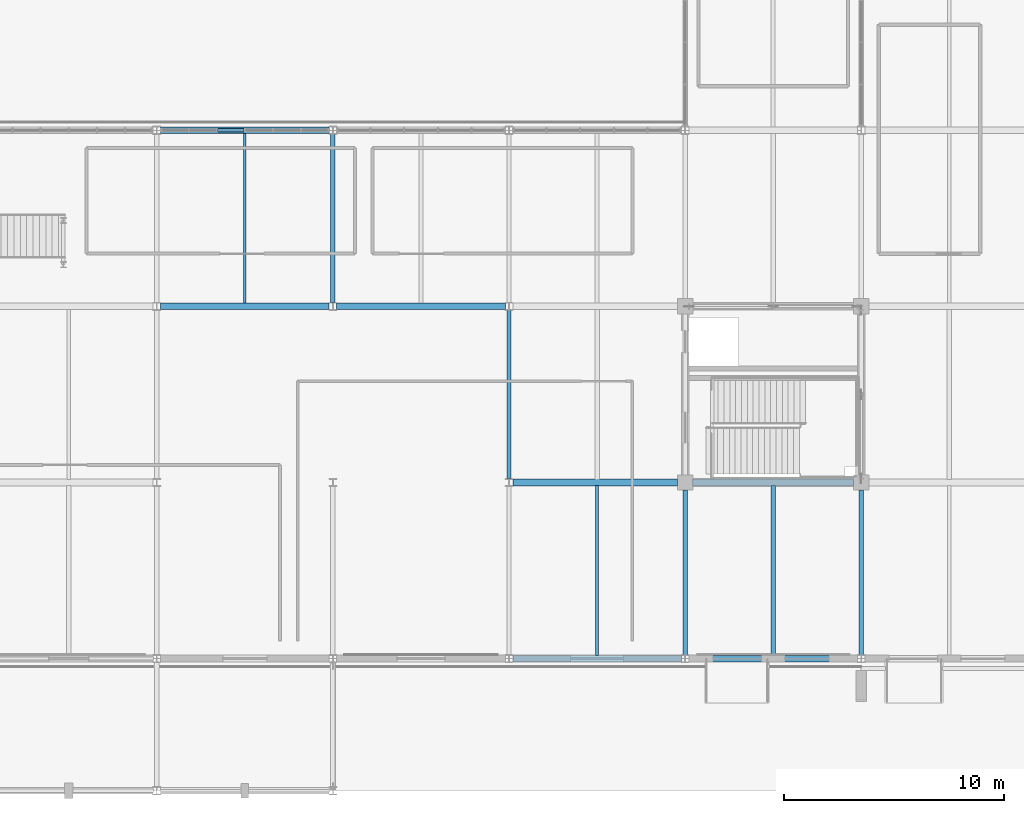
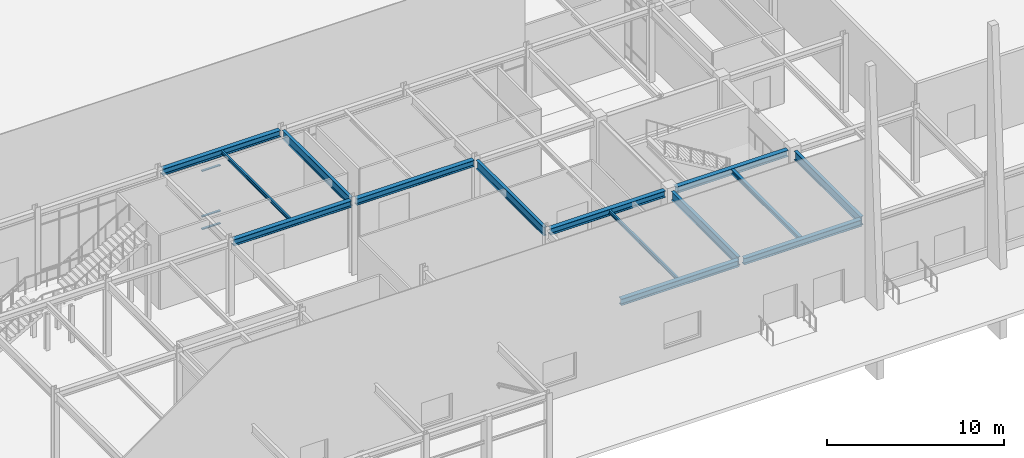
# One storey, part 32 of 119: 14 beams, 4 members, 1 element without a shape of its own.
"""IFC4 building model written with IfcOpenShell, lengths in metres."""

import ifcopenshell
import ifcopenshell.guid

model = None  # the IFC model being written
_history = None  # IfcOwnerHistory: only IFC2X3 demands one
_inside = {}  # id of a spatial element -> (the spatial element, [elements in it])
_under = {}  # id of a project, library or spatial element -> (it, [spatial elements below it])
_declared = {}  # id of a project -> (the project, [libraries it declares])
_typed = {}  # id of a type object -> (the type object, [elements of that type])
_made_of = {}  # id of a material, layer set ... -> (it, [elements and type objects made of it])


def new_model(schema):
    """Start an empty IFC model of exactly this schema.

    Asked for "IFC4X3", IfcOpenShell would pick the latest addendum, in which some entities
    have other attributes; the version numbers below select the first issue.
    IFC2X3 requires an IfcOwnerHistory on every rooted entity: one is made here for all.
    """
    global model, _history
    if schema == "IFC4X3":
        model = ifcopenshell.file(schema_version=(4, 3, 0, 0))
    else:
        model = ifcopenshell.file(schema=schema)
    _inside.clear()
    _under.clear()
    _declared.clear()
    _typed.clear()
    _made_of.clear()
    _history = None
    if model.schema == "IFC2X3":
        org = make("IfcOrganization", Name="unknown")
        user = make(
            "IfcPersonAndOrganization",
            ThePerson=make("IfcPerson", FamilyName="unknown"),
            TheOrganization=org,
        )
        app = make(
            "IfcApplication",
            ApplicationDeveloper=org,
            Version="unknown",
            ApplicationFullName="unknown",
            ApplicationIdentifier="unknown",
        )
        _history = make(
            "IfcOwnerHistory",
            OwningUser=user,
            OwningApplication=app,
            ChangeAction="ADDED",
            CreationDate=0,
        )
    return model


def make(cls, **values):
    """One entity of the class cls with the attributes given. An attribute that is None is left unset."""
    return model.create_entity(
        cls, **{name: value for name, value in values.items() if value is not None}
    )


def rooted(cls, **values):
    """An entity with a GlobalId (a new one), such as an element, a storey or a relation."""
    return make(cls, GlobalId=ifcopenshell.guid.new(), OwnerHistory=_history, **values)


def si_unit(unit_type, name, prefix=None):
    """IfcSIUnit, for example si_unit("LENGTHUNIT", "METRE", prefix="MILLI")."""
    return make("IfcSIUnit", UnitType=unit_type, Prefix=prefix, Name=name)


def assignment(units):
    """IfcUnitAssignment: the units of a project."""
    return None if units is None else make("IfcUnitAssignment", Units=units)


def point(xyz):
    """IfcCartesianPoint."""
    return None if xyz is None else make("IfcCartesianPoint", Coordinates=xyz)


def direction(xyz):
    """IfcDirection."""
    return None if xyz is None else make("IfcDirection", DirectionRatios=xyz)


def frame(location, z_axis=None, x_axis=None):
    """IfcAxis2Placement3D, a coordinate frame: its origin and axes. An axis left out is left unset."""
    return make(
        "IfcAxis2Placement3D",
        Location=point(location),
        Axis=direction(z_axis),
        RefDirection=direction(x_axis),
    )


def frame_2d(location, x_axis=None):
    """IfcAxis2Placement2D, a coordinate frame in the plane: its origin and x axis."""
    return make(
        "IfcAxis2Placement2D", Location=point(location), RefDirection=direction(x_axis)
    )


def origin():
    """The frame at (0, 0, 0) with its axes left unset."""
    return frame((0.0, 0.0, 0.0))


def origin_2d():
    """The frame at (0, 0) in the plane with its x axis left unset."""
    return frame_2d((0.0, 0.0))


def place(relative_to, where):
    """IfcLocalPlacement: puts the frame where relative to a parent placement (None: the world)."""
    return make(
        "IfcLocalPlacement", PlacementRelTo=relative_to, RelativePlacement=where
    )


def context(
    kind, dimensions, precision=None, world=None, true_north=None, identifier=None
):
    """IfcGeometricRepresentationContext, for example the 3D "Model" context."""
    return make(
        "IfcGeometricRepresentationContext",
        ContextIdentifier=identifier,
        ContextType=kind,
        CoordinateSpaceDimension=dimensions,
        Precision=precision,
        WorldCoordinateSystem=world,
        TrueNorth=true_north,
    )


def subcontext(parent, identifier, kind, view, scale=None):
    """IfcGeometricRepresentationSubContext, for example "Body" below "Model"."""
    return make(
        "IfcGeometricRepresentationSubContext",
        ContextIdentifier=identifier,
        ContextType=kind,
        ParentContext=parent,
        TargetScale=scale,
        TargetView=view,
    )


def project(units=None, contexts=None):
    """IfcProject with its units and contexts."""
    return rooted(
        "IfcProject",
        Name="project",
        RepresentationContexts=contexts,
        UnitsInContext=assignment(units),
    )


def spatial(cls, under=None, at=None, **own):
    """A site, building, storey or space (cls), placed at a placement, below another one or the project."""
    s = rooted(cls, ObjectPlacement=at, **own)
    if under is not None:
        _under.setdefault(under.id(), (under, []))[1].append(s)
    return s


def profile(cls, at=None, kind="AREA", **sizes):
    """A parametric profile (cls). Its sizes go by their IFC names, for example OverallWidth=200.0."""
    return make(cls, ProfileType=kind, Position=at, **sizes)


def rectangle(**sizes):
    """IfcRectangleProfileDef."""
    return profile("IfcRectangleProfileDef", **sizes)


def i_section(**sizes):
    """IfcIShapeProfileDef."""
    return profile("IfcIShapeProfileDef", **sizes)


def extrude(swept, where, along, depth):
    """IfcExtrudedAreaSolid: the profile swept, set in the frame where, extruded along a direction by depth."""
    return make(
        "IfcExtrudedAreaSolid",
        SweptArea=swept,
        Position=where,
        ExtrudedDirection=direction(along),
        Depth=depth,
    )


def shape(context_of_items, identifier, shape_type, items):
    """IfcShapeRepresentation: the items that make up one representation, for example the "Body"."""
    return make(
        "IfcShapeRepresentation",
        ContextOfItems=context_of_items,
        RepresentationIdentifier=identifier,
        RepresentationType=shape_type,
        Items=items,
    )


def material(Name=None, Category=None):
    """IfcMaterial."""
    return make("IfcMaterial", Name=Name, Category=Category)


def material_profile(
    of_material, cross_section, Name=None, Category=None, Priority=None
):
    """IfcMaterialProfile: a cross section and its material."""
    return make(
        "IfcMaterialProfile",
        Name=Name,
        Material=of_material,
        Profile=cross_section,
        Priority=Priority,
        Category=Category,
    )


def profile_set(profiles, Name=None, composite=None):
    """IfcMaterialProfileSet."""
    return make(
        "IfcMaterialProfileSet",
        Name=Name,
        MaterialProfiles=profiles,
        CompositeProfile=composite,
    )


def made_of(thing, what):
    """Note that an element or type object is made of a material, layer set ...; save() writes the relation."""
    if what is not None:
        _made_of.setdefault(what.id(), (what, []))[1].append(thing)
    return thing


def type_object(cls, material=None, **own):
    """A type object (cls), such as IfcWallType, which elements share."""
    return made_of(rooted(cls, **own), material)


def element(
    cls,
    number,
    at=None,
    inside=None,
    cuts=None,
    type_object=None,
    material=None,
    context=None,
    identifier="Body",
    shape_type=None,
    held_by="IfcProductDefinitionShape",
    body=None,
    shapes=None,
    **own,
):
    """One element of the class cls, such as IfcWall. Its Tag is "e" and its number.

    at: its placement. inside: the storey or other place that contains it. cuts: it is an
    opening in that element (IfcRelVoidsElement). A single representation is given by context,
    identifier, shape_type and body (its items); several are given by shapes. held_by: the class
    of the entity that holds the representations. save() writes the other relations.
    """
    e = rooted(cls, Tag="e%d" % number, ObjectPlacement=at, **own)
    if body is not None:
        shapes = [shape(context, identifier, shape_type, body)]
    if shapes is not None:
        e.Representation = make(held_by, Representations=shapes)
    if inside is not None:
        _inside.setdefault(inside.id(), (inside, []))[1].append(e)
    if cuts is not None:
        rooted(
            "IfcRelVoidsElement", RelatingBuildingElement=cuts, RelatedOpeningElement=e
        )
    if type_object is not None:
        _typed.setdefault(type_object.id(), (type_object, []))[1].append(e)
    return made_of(e, material)


def aggregate(whole, parts):
    """IfcRelAggregates: a whole, such as a stair, and the parts it consists of."""
    return rooted("IfcRelAggregates", RelatingObject=whole, RelatedObjects=parts)


def save(model, path):
    """Write the relations noted so far, then the file.

    IfcRelAggregates (storeys below a building ...), IfcRelContainedInSpatialStructure (elements
    in a storey), IfcRelDefinesByType, IfcRelAssociatesMaterial and IfcRelDeclares: one each for
    every whole, place, type object, material and project.
    """
    for whole, parts in _under.values():
        aggregate(whole, parts)
    for where, things in _inside.values():
        rooted(
            "IfcRelContainedInSpatialStructure",
            RelatedElements=things,
            RelatingStructure=where,
        )
    for kind, things in _typed.values():
        rooted("IfcRelDefinesByType", RelatedObjects=things, RelatingType=kind)
    for what, things in _made_of.values():
        rooted("IfcRelAssociatesMaterial", RelatedObjects=things, RelatingMaterial=what)
    for by, libraries in _declared.values():
        rooted("IfcRelDeclares", RelatingContext=by, RelatedDefinitions=libraries)
    model.write(path)


model = new_model("IFC4")

# Units and contexts
model_context = context("Model", 3, precision=1e-05, world=origin(), true_north=direction((0.0, 1.0)))
body_context = subcontext(model_context, "Body", "Model", "MODEL_VIEW")
ifc_project = project(units=[si_unit("LENGTHUNIT", "METRE"), si_unit("AREAUNIT", "SQUARE_METRE"), si_unit("VOLUMEUNIT", "CUBIC_METRE"), si_unit("PLANEANGLEUNIT", "RADIAN"), si_unit("MASSUNIT", "GRAM", prefix="KILO")], contexts=[model_context])

# Site, building, storey
site_placement = place(None, origin())
site = spatial("IfcSite", under=ifc_project, at=site_placement, CompositionType="ELEMENT")
building_placement = place(site_placement, origin())
building = spatial("IfcBuilding", under=site, at=building_placement, Name="Zhaolan Boulevard Law Courts", CompositionType="ELEMENT")
storey_placement = place(building_placement, origin())
storey = spatial("IfcBuildingStorey", under=building, at=storey_placement, Name="L00", CompositionType="ELEMENT", Elevation=0.0)

# Curtain wall, members
ifc_material_1 = material(Name="Thermally broken aluminium and low-E glazing", Category="aluminium")
curtain_wall_type = type_object("IfcCurtainWallType", Name="CURTAIN WALL M6", PredefinedType="USERDEFINED", material=ifc_material_1)
curtain_wall_placement = place(storey_placement, origin())
curtain_wall = element("IfcCurtainWall", 1, at=curtain_wall_placement, inside=storey, type_object=curtain_wall_type, Name="Curtain Wall CW-L00-006", ObjectType="CURTAIN WALL", PredefinedType="USERDEFINED")
ifc_material_2 = material(Name="Fluorocarbon-coated aluminium 6063-T6", Category="aluminium")
ifc_material_profile_1 = material_profile(ifc_material_2, rectangle(XDim=0.139892578125, YDim=0.06494140625, at=origin_2d()), Name="AL65x140")
ifc_profile_set_1 = profile_set([ifc_material_profile_1], Name="Fluorocarbon-coated aluminium 6063-T6")
member_type = type_object("IfcMemberType", Name="CWTRANSOM 65X140", PredefinedType="USERDEFINED", material=ifc_profile_set_1)
member_1_placement = place(storey_placement, frame((95.967529296875, 30.0, 0.032470703125), z_axis=(-1.0, 0.0, 0.0), x_axis=(0.0, -1.0, 0.0)))
member_1 = element("IfcMember", 2, at=member_1_placement, type_object=member_type, Name="CW-L00-006 transom 4.1", ObjectType="TRANSOM", PredefinedType="USERDEFINED", context=body_context, shape_type="SweptSolid", body=[
    extrude(rectangle(XDim=0.139892578125, YDim=0.06494140625, at=origin_2d()), origin(), (0.0, 0.0, 1.0), 1.20947265625),
])
member_2_placement = place(storey_placement, frame((95.967529296875, 30.0, 0.89990234375), z_axis=(-1.0, 0.0, 0.0), x_axis=(0.0, -1.0, 0.0)))
member_2 = element("IfcMember", 3, at=member_2_placement, type_object=member_type, Name="CW-L00-006 transom 4.2", ObjectType="TRANSOM", PredefinedType="USERDEFINED", context=body_context, shape_type="SweptSolid", body=[
    extrude(rectangle(XDim=0.139892578125, YDim=0.06494140625, at=origin_2d()), origin(), (0.0, 0.0, 1.0), 1.20947265625),
])
member_3_placement = place(storey_placement, frame((95.967529296875, 30.0, 4.032958984375), z_axis=(-1.0, 0.0, 0.0), x_axis=(0.0, -1.0, 0.0)))
member_3 = element("IfcMember", 4, at=member_3_placement, type_object=member_type, Name="CW-L00-006 transom 4.3", ObjectType="TRANSOM", PredefinedType="USERDEFINED", context=body_context, shape_type="SweptSolid", body=[
    extrude(rectangle(XDim=0.139892578125, YDim=0.06494140625, at=origin_2d()), origin(), (0.0, 0.0, 1.0), 1.20947265625),
])
member_4_placement = place(storey_placement, frame((95.967529296875, 30.0, 4.650390625), z_axis=(-1.0, 0.0, 0.0), x_axis=(0.0, -1.0, 0.0)))
member_4 = element("IfcMember", 5, at=member_4_placement, type_object=member_type, Name="CW-L00-006 transom 4.4", ObjectType="TRANSOM", PredefinedType="USERDEFINED", context=body_context, shape_type="SweptSolid", body=[
    extrude(rectangle(XDim=0.139892578125, YDim=0.06494140625, at=origin_2d()), origin(), (0.0, 0.0, 1.0), 1.20947265625),
])
aggregate(curtain_wall, [member_1, member_2, member_3, member_4])

# Beams
ifc_material_3 = material(Name="Structural steel Q355B", Category="steel")
ifc_material_profile_2 = material_profile(ifc_material_3, i_section(OverallWidth=0.300048828125, OverallDepth=0.43994140625, WebThickness=0.010986328125, FlangeThickness=0.01806640625, FilletRadius=0.02001953125, at=origin_2d()), Name="HM440x300")
ifc_profile_set_2 = profile_set([ifc_material_profile_2], Name="Structural steel Q355B")
beam_type_1 = type_object("IfcBeamType", Name="GIRDER HM440", PredefinedType="BEAM", material=ifc_profile_set_2)
for number, where, z_axis, x_axis, name in (
    (6, (108.1708984375, 6.0, 4.91796875), (1.0, 0.0, 0.0), (0.0, 1.0, 0.0), "Beam BX-L01-14-15-B"),
    (7, (116.1708984375, 6.0, 4.91796875), (1.0, 0.0, 0.0), (0.0, 1.0, 0.0), "Beam BX-L01-15-16-B"),
):
    element("IfcBeam", number, at=place(storey_placement, frame(where, z_axis=z_axis, x_axis=x_axis)), inside=storey, type_object=beam_type_1, Name=name, PredefinedType="BEAM", context=body_context, shape_type="SweptSolid", body=[
        extrude(i_section(OverallWidth=0.300048828125, OverallDepth=0.43994140625, WebThickness=0.010986328125, FlangeThickness=0.01806640625, FilletRadius=0.02001953125, at=origin_2d()), origin(), (0.0, 0.0, 1.0), 7.658203125),
    ])
beam_1_placement = place(storey_placement, frame((108.1708984375, 14.0, 4.91796875), z_axis=(1.0, 0.0, 0.0), x_axis=(0.0, 1.0, 0.0)))
element("IfcBeam", 8, at=beam_1_placement, inside=storey, type_object=beam_type_1, Name="Beam BX-L01-14-15-C", PredefinedType="BEAM", context=body_context, shape_type="SweptSolid", body=[
    extrude(i_section(OverallWidth=0.300048828125, OverallDepth=0.43994140625, WebThickness=0.010986328125, FlangeThickness=0.01806640625, FilletRadius=0.02001953125, at=origin_2d()), origin(), (0.0, 0.0, 1.0), 7.483154296875),
])
beam_2_placement = place(storey_placement, frame((116.345947265625, 14.0, 4.91796875), z_axis=(1.0, 0.0, 0.0), x_axis=(0.0, 1.0, 0.0)))
element("IfcBeam", 9, at=beam_2_placement, inside=storey, type_object=beam_type_1, Name="Beam BX-L01-15-16-C", PredefinedType="BEAM", context=body_context, shape_type="SweptSolid", body=[
    extrude(i_section(OverallWidth=0.300048828125, OverallDepth=0.43994140625, WebThickness=0.010986328125, FlangeThickness=0.01806640625, FilletRadius=0.02001953125, at=origin_2d()), origin(), (0.0, 0.0, 1.0), 7.30810546875),
])
for number, where, z_axis, x_axis, name in (
    (10, (92.1708984375, 22.0, 4.91796875), (1.0, 0.0, 0.0), (0.0, 1.0, 0.0), "Beam BX-L01-12-13-D"),
    (11, (100.1708984375, 22.0, 4.91796875), (1.0, 0.0, 0.0), (0.0, 1.0, 0.0), "Beam BX-L01-13-14-D"),
    (12, (92.1708984375, 30.0, 4.91796875), (1.0, 0.0, 0.0), (0.0, 1.0, 0.0), "Beam BX-L01-12-13-E"),
):
    element("IfcBeam", number, at=place(storey_placement, frame(where, z_axis=z_axis, x_axis=x_axis)), inside=storey, type_object=beam_type_1, Name=name, PredefinedType="BEAM", context=body_context, shape_type="SweptSolid", body=[
        extrude(i_section(OverallWidth=0.300048828125, OverallDepth=0.43994140625, WebThickness=0.010986328125, FlangeThickness=0.01806640625, FilletRadius=0.02001953125, at=origin_2d()), origin(), (0.0, 0.0, 1.0), 7.658203125),
    ])
ifc_material_4 = material(Name="Structural steel Q355B", Category="steel")
ifc_material_profile_3 = material_profile(ifc_material_4, i_section(OverallWidth=0.199951171875, OverallDepth=0.60009765625, WebThickness=0.010986328125, FlangeThickness=0.01708984375, FilletRadius=0.02001953125, at=origin_2d()), Name="HN600x200")
ifc_profile_set_3 = profile_set([ifc_material_profile_3], Name="Structural steel Q355B")
beam_type_2 = type_object("IfcBeamType", Name="GIRDER HN600", PredefinedType="BEAM", material=ifc_profile_set_3)
for number, where, z_axis, x_axis, name in (
    (13, (100.0, 22.1708984375, 4.837890625), (0.0, 1.0, 0.0), (-1.0, 0.0, 0.0), "Beam BY-L01-13-D-E"),
    (14, (108.0, 14.1708984375, 4.837890625), (0.0, 1.0, 0.0), (-1.0, 0.0, 0.0), "Beam BY-L01-14-C-D"),
):
    element("IfcBeam", number, at=place(storey_placement, frame(where, z_axis=z_axis, x_axis=x_axis)), inside=storey, type_object=beam_type_2, Name=name, PredefinedType="BEAM", context=body_context, shape_type="SweptSolid", body=[
        extrude(i_section(OverallWidth=0.199951171875, OverallDepth=0.60009765625, WebThickness=0.010986328125, FlangeThickness=0.01708984375, FilletRadius=0.02001953125, at=origin_2d()), origin(), (0.0, 0.0, 1.0), 7.658203125),
    ])
for number, where, z_axis, x_axis, name in (
    (15, (116.0, 6.1708984375, 4.837890625), (0.0, 1.0, 0.0), (-1.0, 0.0, 0.0), "Beam BY-L01-15-B-C"),
    (16, (124.0, 6.1708984375, 4.818115234375), (0.0, 1.0, 0.0), (-1.0, 0.0, 0.0), "Beam BY-L01-16-B-C"),
):
    element("IfcBeam", number, at=place(storey_placement, frame(where, z_axis=z_axis, x_axis=x_axis)), inside=storey, type_object=beam_type_2, Name=name, PredefinedType="BEAM", context=body_context, shape_type="SweptSolid", body=[
        extrude(i_section(OverallWidth=0.199951171875, OverallDepth=0.60009765625, WebThickness=0.010986328125, FlangeThickness=0.01708984375, FilletRadius=0.02001953125, at=origin_2d()), origin(), (0.0, 0.0, 1.0), 7.483154296875),
    ])
ifc_material_5 = material(Name="Structural steel Q355B", Category="steel")
ifc_material_profile_4 = material_profile(ifc_material_5, i_section(OverallWidth=0.199951171875, OverallDepth=0.2939453125, WebThickness=0.008056640625, FlangeThickness=0.011962890625, FilletRadius=0.01611328125, at=origin_2d()), Name="HM294x200")
ifc_profile_set_4 = profile_set([ifc_material_profile_4], Name="Structural steel Q355B")
beam_type_3 = type_object("IfcBeamType", Name="JOIST HM294", PredefinedType="JOIST", material=ifc_profile_set_4)
beam_3_placement = place(storey_placement, frame((120.0, 6.14599609375, 4.990966796875), z_axis=(0.0, 1.0, 0.0), x_axis=(-1.0, 0.0, 0.0)))
element("IfcBeam", 17, at=beam_3_placement, inside=storey, type_object=beam_type_3, Name="Composite Joist J-L01-15B", PredefinedType="JOIST", context=body_context, shape_type="SweptSolid", body=[
    extrude(i_section(OverallWidth=0.199951171875, OverallDepth=0.2939453125, WebThickness=0.008056640625, FlangeThickness=0.011962890625, FilletRadius=0.01611328125, at=origin_2d()), origin(), (0.0, 0.0, 1.0), 7.7080078125),
])
ifc_material_6 = material(Name="Structural steel Q355B", Category="steel")
ifc_material_profile_5 = material_profile(ifc_material_6, i_section(OverallWidth=0.125, OverallDepth=0.25, WebThickness=0.006103515625, FlangeThickness=0.009033203125, FilletRadius=0.010009765625, at=origin_2d()), Name="HN250x125")
ifc_profile_set_5 = profile_set([ifc_material_profile_5], Name="Structural steel Q355B")
beam_type_4 = type_object("IfcBeamType", Name="JOIST HN250", PredefinedType="JOIST", material=ifc_profile_set_5)
for number, where, z_axis, x_axis, name in (
    (18, (96.0, 22.14599609375, 5.012939453125), (0.0, 1.0, 0.0), (-1.0, 0.0, 0.0), "Composite Joist J-L01-12D"),
    (19, (112.0, 6.14599609375, 5.012939453125), (0.0, 1.0, 0.0), (-1.0, 0.0, 0.0), "Composite Joist J-L01-14B"),
):
    element("IfcBeam", number, at=place(storey_placement, frame(where, z_axis=z_axis, x_axis=x_axis)), inside=storey, type_object=beam_type_4, Name=name, PredefinedType="JOIST", context=body_context, shape_type="SweptSolid", body=[
        extrude(i_section(OverallWidth=0.125, OverallDepth=0.25, WebThickness=0.006103515625, FlangeThickness=0.009033203125, FilletRadius=0.010009765625, at=origin_2d()), origin(), (0.0, 0.0, 1.0), 7.7080078125),
    ])

save(model, "model.ifc")
